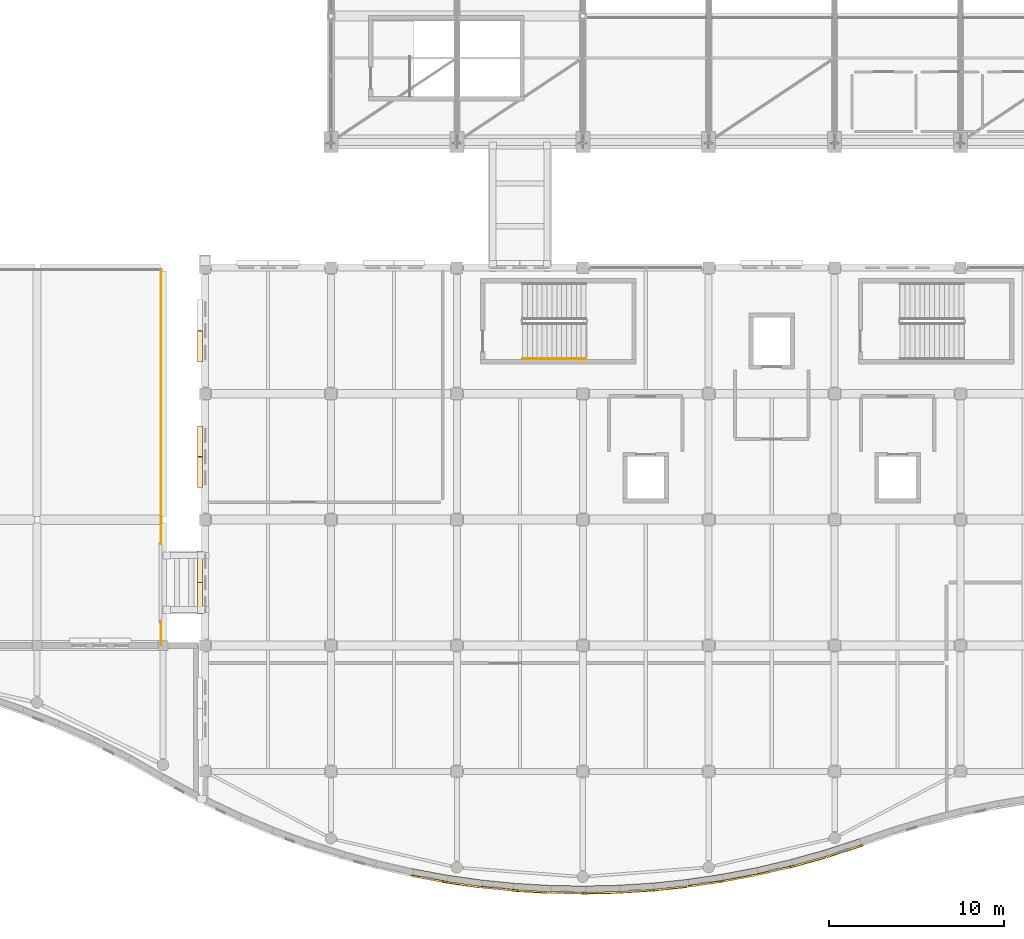
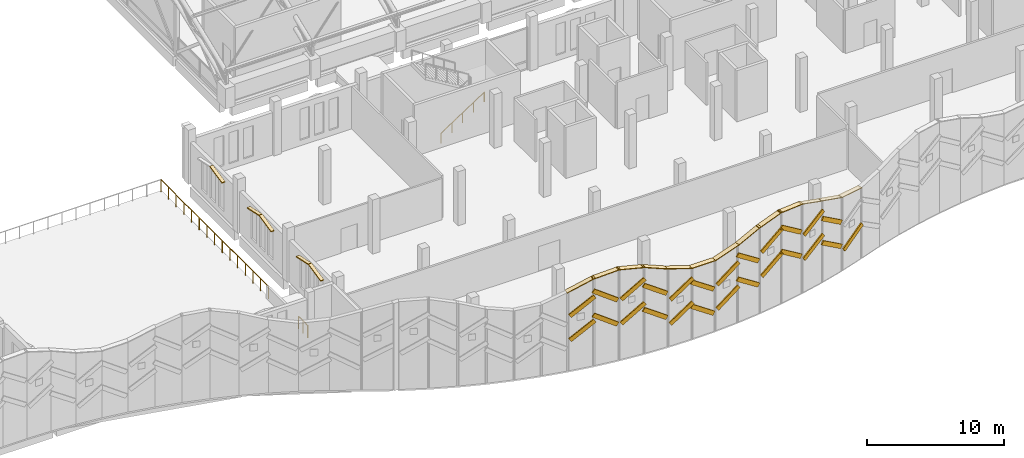
# One storey, part 110 of 116: 43 coverings, 3 railings.
"""IFC4 building model written with IfcOpenShell, lengths in metres."""

from ifc_helpers import new_model, si_unit, direction, frame, origin, origin_2d, place, context, subcontext, project, spatial, polyline, circle, outline, extrude, material, layer, layer_set, type_object, element, save


model = new_model("IFC4")

# Units and contexts
model_context = context("Model", 3, precision=1e-05, world=origin(), true_north=direction((0.0, 1.0)))
body_context = subcontext(model_context, "Body", "Model", "MODEL_VIEW")
ifc_project = project(units=[si_unit("LENGTHUNIT", "METRE"), si_unit("AREAUNIT", "SQUARE_METRE"), si_unit("VOLUMEUNIT", "CUBIC_METRE"), si_unit("PLANEANGLEUNIT", "RADIAN"), si_unit("MASSUNIT", "GRAM", prefix="KILO")], contexts=[model_context])

# Site, building, storey
site_placement = place(None, origin())
site = spatial("IfcSite", under=ifc_project, at=site_placement, CompositionType="ELEMENT")
building_placement = place(site_placement, origin())
building = spatial("IfcBuilding", under=site, at=building_placement, Name="Cendralis Lancet Convention Centre", CompositionType="ELEMENT")
storey_placement = place(building_placement, frame((0.0, 0.0, 15.0)))
storey = spatial("IfcBuildingStorey", under=building, at=storey_placement, Name="L03", CompositionType="ELEMENT", Elevation=15.0)

# Coverings
ifc_material_1 = material(Name="Warm buff sandstone chevron cassette", Category="masonry")
ifc_layer_1 = layer(ifc_material_1, 0.06005859375, Name="Warm buff sandstone chevron cassette")
ifc_layer_set_1 = layer_set([ifc_layer_1], Name="Warm buff sandstone chevron cassette")
covering_type_1 = type_object("IfcCoveringType", Name="ARC-CV-CLAD1", PredefinedType="CLADDING", material=ifc_layer_set_1)
covering_1_placement = place(storey_placement, frame((143.805908203125, 1.18017578125, 2.903076171875), z_axis=(-0.550506351644, 0.101899595564, 0.828588697258), x_axis=(0.814653999522, -0.151321428335, 0.559857737635)))
element("IfcCovering", 1, at=covering_1_placement, inside=storey, type_object=covering_type_1, Name="L03 Diagonal Stone Chevron Relief CL-ST1 #0431", PredefinedType="CLADDING", context=body_context, shape_type="SweptSolid", body=[
    extrude(outline(polyline([(0.0, 0.0), (2.3216695959077724, 5.095750210681871e-17), (2.3216125244254355, 0.10999150106640637), (-5.7071482337210655e-05, 0.10999150106640633), (0.0, 0.0)])), origin(), (0.0, 0.0, -1.0), 0.360107421875),
])
covering_2_placement = place(storey_placement, frame((145.787109375, 0.81396484375, 4.717041015625), z_axis=(0.557291093283, -0.079256404084, 0.826525897815), x_axis=(0.818231606827, -0.116799638593, -0.562898642753)))
element("IfcCovering", 2, at=covering_2_placement, inside=storey, type_object=covering_type_1, Name="L03 Diagonal Stone Chevron Relief CL-ST1 #0437", PredefinedType="CLADDING", context=body_context, shape_type="SweptSolid", body=[
    extrude(outline(polyline([(0.0, 0.0), (2.3096752299209027, 1.3010426069826053e-18), (2.3095138902674024, 0.11020927018501564), (6.693945915100565e-05, 0.11000203464667566), (0.0, 0.0)])), origin(), (0.0, 0.0, -1.0), 0.360107421875),
])
covering_3_placement = place(storey_placement, frame((147.767333984375, 0.533203125, 3.3798828125), z_axis=(-0.562099540829, 0.05633514329, 0.825148748912), x_axis=(0.8210105266, -0.082536011073, 0.564915499954)))
element("IfcCovering", 3, at=covering_3_placement, inside=storey, type_object=covering_type_1, Name="L03 Diagonal Stone Chevron Relief CL-ST1 #0443", PredefinedType="CLADDING", context=body_context, shape_type="SweptSolid", body=[
    extrude(outline(polyline([(0.0, 0.0), (2.301315556451815, 1.620882247865829e-17), (2.301287920886672, 0.11016830139976394), (-2.7635565143182064e-05, 0.11016830139976395), (0.0, 0.0)])), origin(), (0.0, 0.0, -1.0), 0.360107421875),
])
covering_4_placement = place(storey_placement, frame((149.747314453125, 0.336181640625, 4.125), z_axis=(0.565274224042, -0.032733028564, 0.824253359395), x_axis=(0.822801091345, -0.048912962267, -0.566220704499)))
element("IfcCovering", 4, at=covering_4_placement, inside=storey, type_object=covering_type_1, Name="L03 Diagonal Stone Chevron Relief CL-ST1 #0449", PredefinedType="CLADDING", context=body_context, shape_type="SweptSolid", body=[
    extrude(outline(polyline([(0.0, 0.0), (2.2960107565745815, 8.890457814381136e-18), (2.2958718181754803, 0.1098026840626082), (-0.00013893839910132395, 0.10980268406260817), (0.0, 0.0)])), origin(), (0.0, 0.0, -1.0), 0.360107421875),
])
covering_5_placement = place(storey_placement, frame((151.727294921875, 0.22021484375, 2.14501953125), z_axis=(-0.566597239301, 0.010050505353, 0.823933586983), x_axis=(0.823796970559, -0.015005215457, 0.56668632841)))
element("IfcCovering", 5, at=covering_5_placement, inside=storey, type_object=covering_type_1, Name="L03 Diagonal Stone Chevron Relief CL-ST1 #0455", PredefinedType="CLADDING", context=body_context, shape_type="SweptSolid", body=[
    extrude(outline(polyline([(0.0, 0.0), (2.294124214663174, -1.734723475976807e-18), (2.2940810075327023, 0.1101247346528868), (-4.3207130471803034e-05, 0.11012473465288682), (0.0, 0.0)])), origin(), (0.0, 0.0, -1.0), 0.360107421875),
])
covering_6_placement = place(storey_placement, frame((153.7080078125, 0.18603515625, 3.117919921875), z_axis=(0.566597053441, 0.013220597914, 0.823888945686), x_axis=(0.823673518334, 0.01884080538, -0.566751232242)))
element("IfcCovering", 6, at=covering_6_placement, inside=storey, type_object=covering_type_1, Name="L03 Diagonal Stone Chevron Relief CL-ST1 #0461", PredefinedType="CLADDING", context=body_context, shape_type="SweptSolid", body=[
    extrude(outline(polyline([(0.0, 0.0), (2.2935312665716836, -3.415236843329339e-18), (2.2933891654289487, 0.10989598606203407), (5.899102482675306e-05, 0.10989036703824527), (0.0, 0.0)])), origin(), (0.0, 0.0, -1.0), 0.360107421875),
])
covering_7_placement = place(storey_placement, frame((155.687744140625, 0.233154296875, 2.0791015625), z_axis=(-0.564949502119, -0.035152413465, 0.824376350876), x_axis=(0.822695168237, 0.052627824797, 0.56604149337)))
element("IfcCovering", 7, at=covering_7_placement, inside=storey, type_object=covering_type_1, Name="L03 Diagonal Stone Chevron Relief CL-ST1 #0467", PredefinedType="CLADDING", context=body_context, shape_type="SweptSolid", body=[
    extrude(outline(polyline([(0.0, 0.0), (2.296306371043635, -1.1058862159352145e-17), (2.2964643438092365, 0.1100756360559676), (0.00015797276560190147, 0.1100756360559676), (0.0, 0.0)])), origin(), (0.0, 0.0, -1.0), 0.360107421875),
])
covering_8_placement = place(storey_placement, frame((157.66748046875, 0.36181640625, 4.053955078125), z_axis=(0.561545786047, 0.059538894726, 0.825300824056), x_axis=(0.820741180237, 0.086633783369, -0.564693281917)))
element("IfcCovering", 8, at=covering_8_placement, inside=storey, type_object=covering_type_1, Name="L03 Diagonal Stone Chevron Relief CL-ST1 #0473", PredefinedType="CLADDING", context=body_context, shape_type="SweptSolid", body=[
    extrude(outline(polyline([(0.0, 0.0), (2.302321353089751, 3.0899761915836876e-18), (2.302178862439796, 0.1100008851061633), (5.788561475185937e-05, 0.10997522100785523), (0.0, 0.0)])), origin(), (0.0, 0.0, -1.0), 0.360107421875),
])
covering_9_placement = place(storey_placement, frame((159.647216796875, 0.57275390625, 3.381103515625), z_axis=(-0.556464851729, -0.08253186565, 0.826761972966), x_axis=(0.817940025363, 0.120456223862, 0.562551698106)))
element("IfcCovering", 9, at=covering_9_placement, inside=storey, type_object=covering_type_1, Name="L03 Diagonal Stone Chevron Relief CL-ST1 #0479", PredefinedType="CLADDING", context=body_context, shape_type="SweptSolid", body=[
    extrude(outline(polyline([(0.0, 0.0), (2.3105515313121736, 6.158268339717665e-17), (2.3104585083494102, 0.10983095629655942), (-9.302296276335331e-05, 0.10983095629655935), (0.0, 0.0)])), origin(), (0.0, 0.0, -1.0), 0.360107421875),
])
covering_10_placement = place(storey_placement, frame((161.626708984375, 0.8662109375, 4.8330078125), z_axis=(0.549718528844, 0.104471394622, 0.828791449492), x_axis=(0.814169448592, 0.154994829204, -0.559557603737)))
element("IfcCovering", 10, at=covering_10_placement, inside=storey, type_object=covering_type_1, Name="L03 Diagonal Stone Chevron Relief CL-ST1 #0485", PredefinedType="CLADDING", context=body_context, shape_type="SweptSolid", body=[
    extrude(outline(polyline([(0.0, 0.0), (2.3233511964511706, 3.90583832637903e-17), (2.3233798782935717, 0.10984157397263787), (2.8681842401040436e-05, 0.10984157397263791), (0.0, 0.0)])), origin(), (0.0, 0.0, -1.0), 0.360107421875),
])
covering_11_placement = place(storey_placement, frame((163.607421875, 1.2451171875, 3.111083984375), z_axis=(-0.541435956135, -0.127178799275, 0.831067180449), x_axis=(0.809174693496, 0.189496885402, 0.556171957068)))
element("IfcCovering", 11, at=covering_11_placement, inside=storey, type_object=covering_type_1, Name="L03 Diagonal Stone Chevron Relief CL-ST1 #0491", PredefinedType="CLADDING", context=body_context, shape_type="SweptSolid", body=[
    extrude(outline(polyline([(0.0, 0.0), (2.337078619474625, -6.044427111606687e-17), (2.3369943036484617, 0.10985049748879416), (-3.805193812560573e-05, 0.11008819524913713), (0.0, 0.0)])), origin(), (0.0, 0.0, -1.0), 0.360107421875),
])
covering_12_placement = place(storey_placement, frame((165.5869140625, 1.71044921875, 3.715087890625), z_axis=(0.531453986611, 0.148782625284, 0.833918695395), x_axis=(0.803160623506, 0.22439576897, -0.551887263594)))
element("IfcCovering", 12, at=covering_12_placement, inside=storey, type_object=covering_type_1, Name="L03 Diagonal Stone Chevron Relief CL-ST1 #0497", PredefinedType="CLADDING", context=body_context, shape_type="SweptSolid", body=[
    extrude(outline(polyline([(0.0, 0.0), (2.3555439917013454, 6.364266752489911e-17), (2.3555941206781124, 0.10999798795351641), (-0.00014595515983119658, 0.11006372014659496), (0.0, 0.0)])), origin(), (0.0, 0.0, -1.0), 0.360107421875),
])
covering_13_placement = place(storey_placement, frame((167.566162109375, 2.265380859375, 1.93603515625), z_axis=(-0.51986468046, -0.16924416085, 0.837315429231), x_axis=(0.796035143938, 0.259663721455, 0.546720039304)))
element("IfcCovering", 13, at=covering_13_placement, inside=storey, type_object=covering_type_1, Name="L03 Diagonal Stone Chevron Relief CL-ST1 #0503", PredefinedType="CLADDING", context=body_context, shape_type="SweptSolid", body=[
    extrude(outline(polyline([(0.0, 0.0), (2.377840388623247, 4.629543276513104e-17), (2.377959330951202, 0.10986456485642952), (-1.2007726361507043e-05, 0.11017235356771374), (0.0, 0.0)])), origin(), (0.0, 0.0, -1.0), 0.360107421875),
])
for number, where, z_axis, x_axis, name in (
    (14, (131.580078125, 16.199951171875, 3.27001953125), (0.0, -0.210275726475, 0.977642122075), (1.0, 0.0, 0.0), "L03 Gothic Pointed Lancet Hood-Mould #0399L"),
    (15, (131.580078125, 18.010009765625, 3.655029296875), (0.0, 0.210275726475, 0.977642122075), (1.0, 0.0, 0.0), "L03 Gothic Pointed Lancet Hood-Mould #0400R"),
):
    element("IfcCovering", number, at=place(storey_placement, frame(where, z_axis=z_axis, x_axis=x_axis)), inside=storey, type_object=covering_type_1, Name=name, PredefinedType="CLADDING", context=body_context, shape_type="SweptSolid", body=[
        extrude(outline(polyline([(0.0, 0.0), (0.284912109375, 0.0), (0.284912109375, 1.830975795826503), (0.0, 1.830975795826503), (0.0, 0.0)])), origin(), (0.0, 0.0, -1.0), 0.090087890625),
    ])
for number, where, z_axis, x_axis, name in (
    (16, (131.580078125, 23.43994140625, 3.27001953125), (0.0, -0.214866981087, 0.97664332304), (1.0, 0.0, 0.0), "L03 Gothic Pointed Lancet Hood-Mould #0401L"),
    (17, (131.580078125, 25.2099609375, 3.655029296875), (0.0, 0.214866981087, 0.97664332304), (1.0, 0.0, 0.0), "L03 Gothic Pointed Lancet Hood-Mould #0402R"),
):
    element("IfcCovering", number, at=place(storey_placement, frame(where, z_axis=z_axis, x_axis=x_axis)), inside=storey, type_object=covering_type_1, Name=name, PredefinedType="CLADDING", context=body_context, shape_type="SweptSolid", body=[
        extrude(outline(polyline([(0.0, 0.0), (0.284912109375, 0.0), (0.284912109375, 1.791851701348808), (0.0, 1.791851701348808), (0.0, 0.0)])), origin(), (0.0, 0.0, -1.0), 0.090087890625),
    ])
covering_14_placement = place(storey_placement, frame((131.580078125, 30.60009765625, 3.27001953125), z_axis=(0.0, -0.210303141068, 0.977636225217), x_axis=(1.0, 0.0, 0.0)))
element("IfcCovering", 18, at=covering_14_placement, inside=storey, type_object=covering_type_1, Name="L03 Gothic Pointed Lancet Hood-Mould #0403L", PredefinedType="CLADDING", context=body_context, shape_type="SweptSolid", body=[
    extrude(outline(polyline([(0.0, 0.0), (0.284912109375, 0.0), (0.284912109375, 1.8307371143875775), (0.0, 1.8307371143875775), (0.0, 0.0)])), origin(), (0.0, 0.0, -1.0), 0.090087890625),
])
ifc_material_2 = material(Name="Dark Andean slate chevron cassette", Category="masonry")
ifc_layer_2 = layer(ifc_material_2, 0.06005859375, Name="Dark Andean slate chevron cassette")
ifc_layer_set_2 = layer_set([ifc_layer_2], Name="Dark Andean slate chevron cassette")
covering_type_2 = type_object("IfcCoveringType", Name="ARC-CV-CLAD2", PredefinedType="CLADDING", material=ifc_layer_set_2)
covering_15_placement = place(storey_placement, frame((143.691162109375, 1.247314453125, 7.001220703125), z_axis=(-0.344687634777, 0.06398576253, 0.936534172695), x_axis=(0.920766105145, -0.171131649, 0.350576294589)))
element("IfcCovering", 19, at=covering_15_placement, inside=storey, type_object=covering_type_2, Name="Wave Ribbon Sinusoidal Slate Coping E-006", PredefinedType="CLADDING", context=body_context, shape_type="SweptSolid", body=[
    extrude(outline(polyline([(0.0, 0.0), (2.321115348442923, -5.434563389583591e-17), (2.3210093442700623, 0.4201389770285966), (-6.42239851161297e-05, 0.4198989457209019), (0.0, 0.0)])), origin(), (0.0, 0.0, -1.0), 0.06005859375),
])
covering_16_placement = place(storey_placement, frame((143.805908203125, 1.18017578125, 5.052978515625), z_axis=(-0.550577336212, 0.10191273492, 0.82853991534), x_axis=(0.814606038001, -0.151312519515, 0.559929928018)))
element("IfcCovering", 20, at=covering_16_placement, inside=storey, type_object=covering_type_2, Name="L03 Diagonal Stone Chevron Relief CL-ST2 #0432", PredefinedType="CLADDING", context=body_context, shape_type="SweptSolid", body=[
    extrude(outline(polyline([(0.0, 0.0), (2.321806288738312, -2.2985086056692694e-17), (2.321749220615972, 0.10999150106814967), (-5.7068122340086375e-05, 0.1099915010681497), (0.0, 0.0)])), origin(), (0.0, 0.0, -1.0), 0.360107421875),
])
covering_17_placement = place(storey_placement, frame((145.669921875, 0.876220703125, 7.7646484375), z_axis=(-0.142476338277, 0.020371690176, 0.989588544432), x_axis=(0.979665051399, -0.139792260033, 0.14392536643)))
element("IfcCovering", 21, at=covering_17_placement, inside=storey, type_object=covering_type_2, Name="Wave Ribbon Sinusoidal Slate Coping E-007", PredefinedType="CLADDING", context=body_context, shape_type="SweptSolid", body=[
    extrude(outline(polyline([(0.0, 0.0), (2.181322448463566, 8.453727626776819e-17), (2.181559766262558, 0.4200172528938718), (-1.8582389475704786e-06, 0.41998276343535057), (0.0, 0.0)])), origin(), (0.0, 0.0, -1.0), 0.06005859375),
])
covering_18_placement = place(storey_placement, frame((145.787109375, 0.81396484375, 6.866943359375), z_axis=(0.557291093283, -0.079256404084, 0.826525897815), x_axis=(0.818231606827, -0.116799638593, -0.562898642753)))
element("IfcCovering", 22, at=covering_18_placement, inside=storey, type_object=covering_type_2, Name="L03 Diagonal Stone Chevron Relief CL-ST2 #0438", PredefinedType="CLADDING", context=body_context, shape_type="SweptSolid", body=[
    extrude(outline(polyline([(0.0, 0.0), (2.3096752299209027, 1.3010426069826053e-18), (2.3095138902674024, 0.11020927018501564), (6.693945915100565e-05, 0.11000203464667566), (0.0, 0.0)])), origin(), (0.0, 0.0, -1.0), 0.360107421875),
])
covering_19_placement = place(storey_placement, frame((147.6474609375, 0.590576171875, 8.08251953125), z_axis=(0.180313283127, -0.018115586856, 0.983442395589), x_axis=(0.978504066471, -0.098431386454, -0.181221008885)))
element("IfcCovering", 23, at=covering_19_placement, inside=storey, type_object=covering_type_2, Name="Wave Ribbon Sinusoidal Slate Coping E-008", PredefinedType="CLADDING", context=body_context, shape_type="SweptSolid", body=[
    extrude(outline(polyline([(0.0, 0.0), (2.1851555522526165, -4.607859233063394e-18), (2.1851038349245853, 0.4200728711936962), (-5.1717328030789766e-05, 0.42007287119369613), (0.0, 0.0)])), origin(), (0.0, 0.0, -1.0), 0.06005859375),
])
covering_20_placement = place(storey_placement, frame((147.767333984375, 0.533203125, 5.529052734375), z_axis=(-0.562099540829, 0.05633514329, 0.825148748912), x_axis=(0.8210105266, -0.082536011073, 0.564915499954)))
element("IfcCovering", 24, at=covering_20_placement, inside=storey, type_object=covering_type_2, Name="L03 Diagonal Stone Chevron Relief CL-ST2 #0444", PredefinedType="CLADDING", context=body_context, shape_type="SweptSolid", body=[
    extrude(outline(polyline([(0.0, 0.0), (2.301315556451815, 1.620882247865829e-17), (2.301287920886672, 0.11016830139976394), (-2.7635565143182064e-05, 0.11016830139976395), (0.0, 0.0)])), origin(), (0.0, 0.0, -1.0), 0.360107421875),
])
covering_21_placement = place(storey_placement, frame((149.625, 0.388427734375, 7.74169921875), z_axis=(0.358204375648, -0.02127946786, 0.933400669335), x_axis=(0.931760865999, -0.055303692537, -0.358835881963)))
element("IfcCovering", 25, at=covering_21_placement, inside=storey, type_object=covering_type_2, Name="Wave Ribbon Sinusoidal Slate Coping E-009", PredefinedType="CLADDING", context=body_context, shape_type="SweptSolid", body=[
    extrude(outline(polyline([(0.0, 0.0), (2.2955632648636555, 6.9084007178060736e-18), (2.295583569611047, 0.41992847477064105), (2.0304747391539785e-05, 0.41992847477064105), (0.0, 0.0)])), origin(), (0.0, 0.0, -1.0), 0.06005859375),
])
covering_22_placement = place(storey_placement, frame((149.747314453125, 0.336181640625, 6.27490234375), z_axis=(0.565202096648, -0.032728851922, 0.824302985677), x_axis=(0.822850630111, -0.048915907192, -0.566148456282)))
element("IfcCovering", 26, at=covering_22_placement, inside=storey, type_object=covering_type_2, Name="L03 Diagonal Stone Chevron Relief CL-ST2 #0450", PredefinedType="CLADDING", context=body_context, shape_type="SweptSolid", body=[
    extrude(outline(polyline([(0.0, 0.0), (2.2958725279169943, -1.8539857149502126e-17), (2.295733581152765, 0.10980268405202304), (-0.00013894676422968304, 0.10980268405202306), (0.0, 0.0)])), origin(), (0.0, 0.0, -1.0), 0.360107421875),
])
covering_23_placement = place(storey_placement, frame((151.60302734375, 0.267578125, 6.98583984375), z_axis=(0.299644593231, -0.005487677143, 0.954035116307), x_axis=(0.953876202523, -0.017412458067, -0.299694839067)))
element("IfcCovering", 27, at=covering_23_placement, inside=storey, type_object=covering_type_2, Name="Wave Ribbon Sinusoidal Slate Coping E-010", PredefinedType="CLADDING", context=body_context, shape_type="SweptSolid", body=[
    extrude(outline(polyline([(0.0, 0.0), (2.2433765857421366, 2.5173819192397806e-18), (2.2435168715346974, 0.41999451810914534), (-9.259413969604433e-05, 0.4199900609008994), (0.0, 0.0)])), origin(), (0.0, 0.0, -1.0), 0.06005859375),
])
covering_24_placement = place(storey_placement, frame((151.727294921875, 0.22021484375, 4.294921875), z_axis=(-0.566597239301, 0.010050505353, 0.823933586983), x_axis=(0.823796970559, -0.015005215457, 0.56668632841)))
element("IfcCovering", 28, at=covering_24_placement, inside=storey, type_object=covering_type_2, Name="L03 Diagonal Stone Chevron Relief CL-ST2 #0456", PredefinedType="CLADDING", context=body_context, shape_type="SweptSolid", body=[
    extrude(outline(polyline([(0.0, 0.0), (2.294124214663174, -1.734723475976807e-18), (2.2940810075327023, 0.1101247346528868), (-4.3207130471803034e-05, 0.11012473465288682), (0.0, 0.0)])), origin(), (0.0, 0.0, -1.0), 0.360107421875),
])
covering_25_placement = place(storey_placement, frame((153.58203125, 0.228271484375, 6.34619140625), z_axis=(0.021442695571, 0.000486483495, 0.999769960611), x_axis=(0.9995095534, 0.022817248109, -0.021448213222)))
element("IfcCovering", 29, at=covering_25_placement, inside=storey, type_object=covering_type_2, Name="Wave Ribbon Sinusoidal Slate Coping E-011", PredefinedType="CLADDING", context=body_context, shape_type="SweptSolid", body=[
    extrude(outline(polyline([(0.0, 0.0), (2.1399655544548097, -1.8612490224729182e-18), (2.1400246308503648, 0.4197857261804121), (5.9076395554791966e-05, 0.41978572618041216), (0.0, 0.0)])), origin(), (0.0, 0.0, -1.0), 0.06005859375),
])
covering_26_placement = place(storey_placement, frame((153.7080078125, 0.18603515625, 5.26806640625), z_axis=(0.566669286218, 0.013222283345, 0.823839238735), x_axis=(0.823623824388, 0.018839668673, -0.56682348468)))
element("IfcCovering", 30, at=covering_26_placement, inside=storey, type_object=covering_type_2, Name="L03 Diagonal Stone Chevron Relief CL-ST2 #0462", PredefinedType="CLADDING", context=body_context, shape_type="SweptSolid", body=[
    extrude(outline(polyline([(0.0, 0.0), (2.293669636325795, -2.710505431213761e-19), (2.293527543756099, 0.10989598606756934), (5.898746555506665e-05, 0.10989036703460581), (0.0, 0.0)])), origin(), (0.0, 0.0, -1.0), 0.360107421875),
])
covering_27_placement = place(storey_placement, frame((155.560302734375, 0.27001953125, 6.2744140625), z_axis=(-0.277210020452, -0.017678798625, 0.96064669085), x_axis=(0.958689327042, 0.061293071954, 0.277773169235)))
element("IfcCovering", 31, at=covering_27_placement, inside=storey, type_object=covering_type_2, Name="Wave Ribbon Sinusoidal Slate Coping E-012", PredefinedType="CLADDING", context=body_context, shape_type="SweptSolid", body=[
    extrude(outline(polyline([(0.0, 0.0), (2.230584042815075, -7.189615656294501e-18), (2.230765455875824, 0.4200332443271945), (-5.264195073544781e-05, 0.42004881846847064), (0.0, 0.0)])), origin(), (0.0, 0.0, -1.0), 0.06005859375),
])
covering_28_placement = place(storey_placement, frame((155.687744140625, 0.233154296875, 4.22900390625), z_axis=(-0.565021610115, -0.035156900185, 0.824326738904), x_axis=(0.822645657543, 0.052624657597, 0.566113740814)))
element("IfcCovering", 32, at=covering_28_placement, inside=storey, type_object=covering_type_2, Name="L03 Diagonal Stone Chevron Relief CL-ST2 #0468", PredefinedType="CLADDING", context=body_context, shape_type="SweptSolid", body=[
    extrude(outline(polyline([(0.0, 0.0), (2.2964445735871357, 3.469446951953614e-18), (2.296602536845764, 0.11007563606961095), (0.0001579632586282678, 0.11007563606961095), (0.0, 0.0)])), origin(), (0.0, 0.0, -1.0), 0.360107421875),
])
covering_29_placement = place(storey_placement, frame((157.53857421875, 0.393310546875, 6.8271484375), z_axis=(-0.370471465934, -0.039082466161, 0.928021257175), x_axis=(0.922886915539, 0.097484342613, 0.37252723937)))
element("IfcCovering", 33, at=covering_29_placement, inside=storey, type_object=covering_type_2, Name="Wave Ribbon Sinusoidal Slate Coping E-013", PredefinedType="CLADDING", context=body_context, shape_type="SweptSolid", body=[
    extrude(outline(polyline([(0.0, 0.0), (2.3165960760407827, -6.749158523722265e-17), (2.316761131073622, 0.42002977332551567), (-6.025915552512057e-05, 0.4200554146403139), (0.0, 0.0)])), origin(), (0.0, 0.0, -1.0), 0.06005859375),
])
covering_30_placement = place(storey_placement, frame((157.66748046875, 0.36181640625, 6.2041015625), z_axis=(0.561545786047, 0.059538894726, 0.825300824056), x_axis=(0.820741180237, 0.086633783369, -0.564693281917)))
element("IfcCovering", 34, at=covering_30_placement, inside=storey, type_object=covering_type_2, Name="L03 Diagonal Stone Chevron Relief CL-ST2 #0474", PredefinedType="CLADDING", context=body_context, shape_type="SweptSolid", body=[
    extrude(outline(polyline([(0.0, 0.0), (2.302321353089751, 3.0899761915836876e-18), (2.302178862439796, 0.1100008851061633), (5.788561475185937e-05, 0.10997522100785523), (0.0, 0.0)])), origin(), (0.0, 0.0, -1.0), 0.360107421875),
])
covering_31_placement = place(storey_placement, frame((159.51708984375, 0.598876953125, 7.62841796875), z_axis=(-0.229472069298, -0.033841063099, 0.972726761152), x_axis=(0.962334178258, 0.141810725377, 0.231953977168)))
element("IfcCovering", 35, at=covering_31_placement, inside=storey, type_object=covering_type_2, Name="Wave Ribbon Sinusoidal Slate Coping E-014", PredefinedType="CLADDING", context=body_context, shape_type="SweptSolid", body=[
    extrude(outline(polyline([(0.0, 0.0), (2.2208574521566398, -1.2583521464409886e-17), (2.2208125243854964, 0.4200215751731337), (-4.492777114403074e-05, 0.42002157517313377), (0.0, 0.0)])), origin(), (0.0, 0.0, -1.0), 0.06005859375),
])
covering_32_placement = place(storey_placement, frame((159.647216796875, 0.57275390625, 5.531005859375), z_axis=(-0.556536288522, -0.08254246077, 0.826712829057), x_axis=(0.817891405878, 0.120449063777, 0.562623916329)))
element("IfcCovering", 36, at=covering_32_placement, inside=storey, type_object=covering_type_2, Name="L03 Diagonal Stone Chevron Relief CL-ST2 #0480", PredefinedType="CLADDING", context=body_context, shape_type="SweptSolid", body=[
    extrude(outline(polyline([(0.0, 0.0), (2.3106888818513065, 7.37257477290143e-18), (2.310595864417957, 0.10983095630124241), (-9.301743334994353e-05, 0.10983095630124243), (0.0, 0.0)])), origin(), (0.0, 0.0, -1.0), 0.360107421875),
])
covering_33_placement = place(storey_placement, frame((161.49560546875, 0.886962890625, 8.12890625), z_axis=(0.081958509517, 0.015591515272, 0.996513776809), x_axis=(0.978939357501, 0.186326170373, -0.08342836789)))
element("IfcCovering", 37, at=covering_33_placement, inside=storey, type_object=covering_type_2, Name="Wave Ribbon Sinusoidal Slate Coping E-015", PredefinedType="CLADDING", context=body_context, shape_type="SweptSolid", body=[
    extrude(outline(polyline([(0.0, 0.0), (2.182937782836306, -2.218040475680111e-17), (2.183096887858873, 0.4199744310440719), (-7.98938440106367e-05, 0.4200200798161493), (0.0, 0.0)])), origin(), (0.0, 0.0, -1.0), 0.06005859375),
])
covering_34_placement = place(storey_placement, frame((161.626708984375, 0.8662109375, 6.98291015625), z_axis=(0.549647611968, 0.104457917207, 0.828840181332), x_axis=(0.814217320674, 0.155003942694, -0.559485417562)))
element("IfcCovering", 38, at=covering_34_placement, inside=storey, type_object=covering_type_2, Name="L03 Diagonal Stone Chevron Relief CL-ST2 #0486", PredefinedType="CLADDING", context=body_context, shape_type="SweptSolid", body=[
    extrude(outline(polyline([(0.0, 0.0), (2.3232145945196008, 4.0766001685454967e-17), (2.323243278048456, 0.10984157397219761), (2.8683528855266704e-05, 0.10984157397219754), (0.0, 0.0)])), origin(), (0.0, 0.0, -1.0), 0.360107421875),
])
covering_35_placement = place(storey_placement, frame((163.475341796875, 1.260498046875, 7.988037109375), z_axis=(0.312928413913, 0.073349896961, 0.946940125025), x_axis=(0.922011962976, 0.215846120542, -0.321410006653)))
element("IfcCovering", 39, at=covering_35_placement, inside=storey, type_object=covering_type_2, Name="Wave Ribbon Sinusoidal Slate Coping E-016", PredefinedType="CLADDING", context=body_context, shape_type="SweptSolid", body=[
    extrude(outline(polyline([(0.0, 0.0), (2.3153240510955224, -6.131163285405528e-17), (2.315126675719068, 0.4200406164486186), (-2.4971606328541562e-05, 0.4197472479939472), (0.0, 0.0)])), origin(), (0.0, 0.0, -1.0), 0.06005859375),
])
covering_36_placement = place(storey_placement, frame((163.607421875, 1.2451171875, 5.260986328125), z_axis=(-0.541506189498, -0.127195296507, 0.83101889466), x_axis=(0.809127679696, 0.189485875457, 0.556244101948)))
element("IfcCovering", 40, at=covering_36_placement, inside=storey, type_object=covering_type_2, Name="L03 Diagonal Stone Chevron Relief CL-ST2 #0492", PredefinedType="CLADDING", context=body_context, shape_type="SweptSolid", body=[
    extrude(outline(polyline([(0.0, 0.0), (2.3372144111030053, -1.100465205072787e-16), (2.3371301001755995, 0.10985049749226938), (-3.8049727343364426e-05, 0.11008819524961726), (0.0, 0.0)])), origin(), (0.0, 0.0, -1.0), 0.360107421875),
])
covering_37_placement = place(storey_placement, frame((165.454345703125, 1.72021484375, 7.311279296875), z_axis=(0.320693241283, 0.08960831063, 0.942934884105), x_axis=(0.908176289345, 0.253657296932, -0.332977181178)))
element("IfcCovering", 41, at=covering_37_placement, inside=storey, type_object=covering_type_2, Name="Wave Ribbon Sinusoidal Slate Coping E-017", PredefinedType="CLADDING", context=body_context, shape_type="SweptSolid", body=[
    extrude(outline(polyline([(0.0, 0.0), (2.3484564891461175, 1.0232158002831948e-18), (2.3484136471173866, 0.420036688377721), (-4.284202873071352e-05, 0.42003668837772107), (0.0, 0.0)])), origin(), (0.0, 0.0, -1.0), 0.06005859375),
])
covering_38_placement = place(storey_placement, frame((165.5869140625, 1.71044921875, 5.864990234375), z_axis=(0.531453986611, 0.148782625284, 0.833918695395), x_axis=(0.803160623506, 0.22439576897, -0.551887263594)))
element("IfcCovering", 42, at=covering_38_placement, inside=storey, type_object=covering_type_2, Name="L03 Diagonal Stone Chevron Relief CL-ST2 #0498", PredefinedType="CLADDING", context=body_context, shape_type="SweptSolid", body=[
    extrude(outline(polyline([(0.0, 0.0), (2.3555439917013454, 6.364266752489911e-17), (2.3555941206781124, 0.10999798795351641), (-0.00014595515983119658, 0.11006372014659496), (0.0, 0.0)])), origin(), (0.0, 0.0, -1.0), 0.360107421875),
])
covering_39_placement = place(storey_placement, frame((167.433349609375, 2.26953125, 6.5751953125), z_axis=(0.113431778934, 0.03697806616, 0.992857418843), x_axis=(0.943963429127, 0.307731861564, -0.11930693965)))
element("IfcCovering", 43, at=covering_39_placement, inside=storey, type_object=covering_type_2, Name="Wave Ribbon Sinusoidal Slate Coping E-018", PredefinedType="CLADDING", context=body_context, shape_type="SweptSolid", body=[
    extrude(outline(polyline([(0.0, 0.0), (2.257095104144819, -6.467604772054936e-17), (2.257097322389922, 0.4198447932919605), (2.218245102728056e-06, 0.4198447932919604), (0.0, 0.0)])), origin(), (0.0, 0.0, -1.0), 0.06005859375),
])

# Railings
ifc_material_3 = material(Name="Anodised bronze architectural aluminium", Category="aluminium")
railing_type_1 = type_object("IfcRailingType", Name="ARC-RL-BL01", PredefinedType="BALUSTRADE", material=ifc_material_3)
railing_1_placement = place(storey_placement, frame((129.47998046875, 14.449951171875, 0.0)))
element("IfcRailing", 44, at=railing_1_placement, inside=storey, type_object=railing_type_1, Name="L03 Terrace Guard BL-01 #04-1", PredefinedType="BALUSTRADE", context=body_context, shape_type="SweptSolid", body=[
    extrude(circle(Radius=0.02392578125, at=origin_2d()), frame((0.0, 0.0, 1.076171875), z_axis=(0.0, 1.0, 0.0), x_axis=(-1.0, 0.0, 0.0)), (0.0, 0.0, 1.0), 1.35009765625),
    extrude(circle(Radius=0.02099609375, at=origin_2d()), origin(), (0.0, 0.0, 1.0), 1.052001953125),
    extrude(circle(Radius=0.02099609375, at=origin_2d()), frame((0.0, 0.675048828125, 0.0)), (0.0, 0.0, 1.0), 1.052001953125),
    extrude(circle(Radius=0.02099609375, at=origin_2d()), frame((0.0, 1.35009765625, 0.0)), (0.0, 0.0, 1.0), 1.052001953125),
])
railing_2_placement = place(storey_placement, frame((129.47998046875, 20.199951171875, 0.0)))
element("IfcRailing", 45, at=railing_2_placement, inside=storey, type_object=railing_type_1, Name="L03 Terrace Guard BL-01 #05-1", PredefinedType="BALUSTRADE", context=body_context, shape_type="SweptSolid", body=[
    extrude(circle(Radius=0.02392578125, at=origin_2d()), frame((0.0, 0.0, 1.076171875), z_axis=(0.0, 1.0, 0.0), x_axis=(-1.0, 0.0, 0.0)), (0.0, 0.0, 1.0), 15.679931640625),
    extrude(circle(Radius=0.02099609375, at=origin_2d()), origin(), (0.0, 0.0, 1.0), 1.052001953125),
    extrude(circle(Radius=0.02099609375, at=origin_2d()), frame((0.0, 1.1201171875, 0.0)), (0.0, 0.0, 1.0), 1.052001953125),
    extrude(circle(Radius=0.02099609375, at=origin_2d()), frame((0.0, 2.239990234375, 0.0)), (0.0, 0.0, 1.0), 1.052001953125),
    extrude(circle(Radius=0.02099609375, at=origin_2d()), frame((0.0, 3.35986328125, 0.0)), (0.0, 0.0, 1.0), 1.052001953125),
    extrude(circle(Radius=0.02099609375, at=origin_2d()), frame((0.0, 4.47998046875, 0.0)), (0.0, 0.0, 1.0), 1.052001953125),
    extrude(circle(Radius=0.02099609375, at=origin_2d()), frame((0.0, 5.60009765625, 0.0)), (0.0, 0.0, 1.0), 1.052001953125),
    extrude(circle(Radius=0.02099609375, at=origin_2d()), frame((0.0, 6.719970703125, 0.0)), (0.0, 0.0, 1.0), 1.052001953125),
    extrude(circle(Radius=0.02099609375, at=origin_2d()), frame((0.0, 7.83984375, 0.0)), (0.0, 0.0, 1.0), 1.052001953125),
    extrude(circle(Radius=0.02099609375, at=origin_2d()), frame((0.0, 8.9599609375, 0.0)), (0.0, 0.0, 1.0), 1.052001953125),
    extrude(circle(Radius=0.02099609375, at=origin_2d()), frame((0.0, 10.080078125, 0.0)), (0.0, 0.0, 1.0), 1.052001953125),
    extrude(circle(Radius=0.02099609375, at=origin_2d()), frame((0.0, 11.199951171875, 0.0)), (0.0, 0.0, 1.0), 1.052001953125),
    extrude(circle(Radius=0.02099609375, at=origin_2d()), frame((0.0, 12.31982421875, 0.0)), (0.0, 0.0, 1.0), 1.052001953125),
    extrude(circle(Radius=0.02099609375, at=origin_2d()), frame((0.0, 13.43994140625, 0.0)), (0.0, 0.0, 1.0), 1.052001953125),
    extrude(circle(Radius=0.02099609375, at=origin_2d()), frame((0.0, 14.56005859375, 0.0)), (0.0, 0.0, 1.0), 1.052001953125),
    extrude(circle(Radius=0.02099609375, at=origin_2d()), frame((0.0, 15.679931640625, 0.0)), (0.0, 0.0, 1.0), 1.052001953125),
])
ifc_material_4 = material(Name="Steel S355", Category="steel")
railing_type_2 = type_object("IfcRailingType", Name="ARC-RL-CHR", PredefinedType="HANDRAIL", material=ifc_material_4)
railing_3_placement = place(storey_placement, frame((150.14990234375, 30.800048828125, 0.17138671875)))
element("IfcRailing", 46, at=railing_3_placement, inside=storey, type_object=railing_type_2, Name="L03 ST-13 stair handrail 1", PredefinedType="HANDRAIL", context=body_context, shape_type="SweptSolid", body=[
    extrude(circle(Radius=0.02392578125, at=origin_2d()), frame((0.0, 0.0, 0.8759765625), z_axis=(0.834856447115, 0.0, 0.55046772177), x_axis=(0.0, 1.0, 0.0)), (0.0, 0.0, 1.0), 4.360107421875),
    extrude(circle(Radius=0.02099609375, at=origin_2d()), origin(), (0.0, 0.0, 1.0), 0.851806640625),
    extrude(circle(Radius=0.02099609375, at=origin_2d()), frame((0.91015625, 0.0, 0.60009765625)), (0.0, 0.0, 1.0), 0.851806640625),
    extrude(circle(Radius=0.02099609375, at=origin_2d()), frame((1.820068359375, 0.0, 1.2001953125)), (0.0, 0.0, 1.0), 0.851806640625),
    extrude(circle(Radius=0.02099609375, at=origin_2d()), frame((2.72998046875, 0.0, 1.800048828125)), (0.0, 0.0, 1.0), 0.851806640625),
    extrude(circle(Radius=0.02099609375, at=origin_2d()), frame((3.64013671875, 0.0, 2.400146484375)), (0.0, 0.0, 1.0), 0.851806640625),
])

save(model, "model.ifc")
